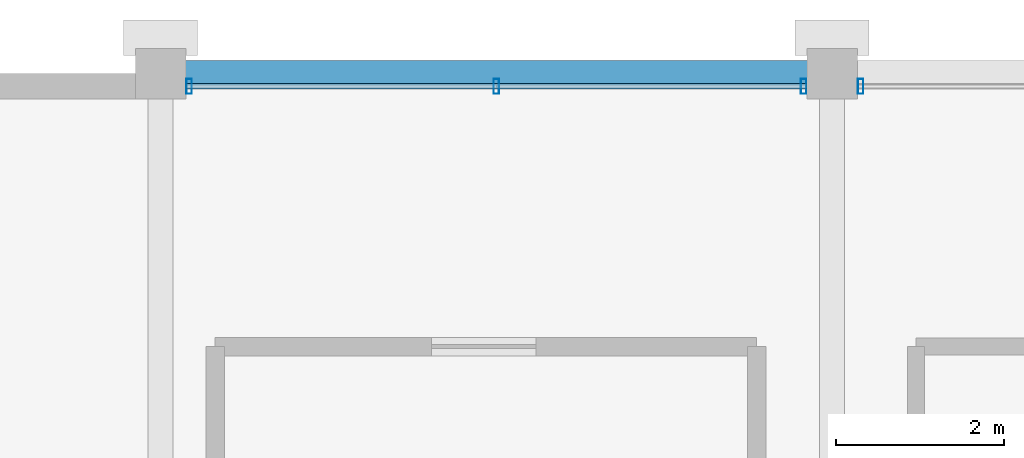
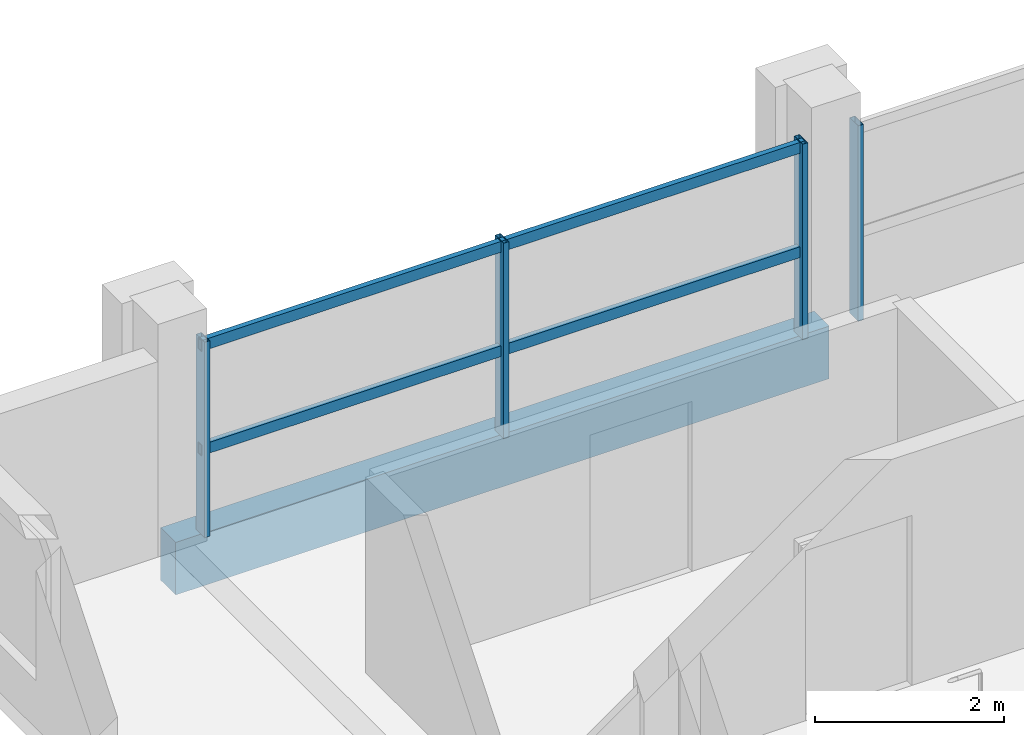
# One storey, part 15 of 24: 6 members, 1 beam, 2 elements without a shape of their own.
"""IFC4 building model written with IfcOpenShell, lengths in metres."""

from ifc_helpers import new_model, si_unit, direction, frame, origin, origin_2d, place, context, subcontext, project, spatial, rectangle, hollow_rectangle, extrude, material, material_profile, profile_set, type_object, element, aggregate, save


model = new_model("IFC4")

# Units and contexts
model_context = context("Model", 3, precision=1e-05, world=origin(), true_north=direction((0.0, 1.0)))
body_context = subcontext(model_context, "Body", "Model", "MODEL_VIEW")
ifc_project = project(units=[si_unit("LENGTHUNIT", "METRE"), si_unit("AREAUNIT", "SQUARE_METRE"), si_unit("VOLUMEUNIT", "CUBIC_METRE"), si_unit("PLANEANGLEUNIT", "RADIAN"), si_unit("MASSUNIT", "GRAM", prefix="KILO")], contexts=[model_context])

# Site, building, storey
site_placement = place(None, origin())
site = spatial("IfcSite", under=ifc_project, at=site_placement, CompositionType="ELEMENT")
building_placement = place(site_placement, origin())
building = spatial("IfcBuilding", under=site, at=building_placement, Name="Akrevak Sports Hall", CompositionType="ELEMENT")
storey_placement = place(building_placement, frame((0.0, 0.0, 63.300048828125)))
storey = spatial("IfcBuildingStorey", under=building, at=storey_placement, Name="L16", CompositionType="ELEMENT", Elevation=63.300048828125)

# Curtain wall, member
ifc_material_1 = material(Name="Anodized Bronze Aluminium & Low-E Glass", Category="aluminium")
curtain_wall_type = type_object("IfcCurtainWallType", Name="ARC-CW-TWR-72x30", PredefinedType="NOTDEFINED", material=ifc_material_1)
curtain_wall_1_placement = place(storey_placement, origin())
curtain_wall_1 = element("IfcCurtainWall", 1, at=curtain_wall_1_placement, inside=storey, type_object=curtain_wall_type, Name="Curtain Wall CW-L16-N21", PredefinedType="NOTDEFINED")
ifc_material_2 = material(Name="Anodized Bronze Aluminium", Category="aluminium")
ifc_material_profile_1 = material_profile(ifc_material_2, hollow_rectangle(XDim=0.06494140625, YDim=0.179931640625, WallThickness=0.00390625, at=origin_2d()), Name="CWM 65x180", Category="aluminium")
ifc_profile_set_1 = profile_set([ifc_material_profile_1], Name="Anodized Bronze Aluminium")
member_type_1 = type_object("IfcMemberType", Name="ARC-CWM-65x140", PredefinedType="MULLION", material=ifc_profile_set_1)
member_1_placement = place(storey_placement, frame((68.340087890625, 69.449951171875, 0.0), z_axis=(0.0, 0.0, 1.0), x_axis=(-1.0, 0.0, 0.0)))
member_1 = element("IfcMember", 2, at=member_1_placement, type_object=member_type_1, Name="Curtain Wall Mullion CW-L16-N21-M3", PredefinedType="MULLION", context=body_context, shape_type="SweptSolid", body=[
    extrude(hollow_rectangle(XDim=0.06494140625, YDim=0.179931640625, WallThickness=0.00390625, at=origin_2d()), origin(), (0.0, 0.0, 1.0), 2.530029296875),
])
aggregate(curtain_wall_1, [member_1])

# Curtain wall, members
curtain_wall_2_placement = place(storey_placement, origin())
curtain_wall_2 = element("IfcCurtainWall", 3, at=curtain_wall_2_placement, inside=storey, type_object=curtain_wall_type, Name="Curtain Wall CW-L16-N22", PredefinedType="NOTDEFINED")
member_2_placement = place(storey_placement, frame((67.659912109375, 69.449951171875, 0.0), z_axis=(0.0, 0.0, 1.0), x_axis=(-1.0, 0.0, 0.0)))
member_2 = element("IfcMember", 4, at=member_2_placement, type_object=member_type_1, Name="Curtain Wall Mullion CW-L16-N22-M1", PredefinedType="MULLION", context=body_context, shape_type="SweptSolid", body=[
    extrude(hollow_rectangle(XDim=0.06494140625, YDim=0.179931640625, WallThickness=0.00390625, at=origin_2d()), origin(), (0.0, 0.0, 1.0), 2.530029296875),
])
member_3_placement = place(storey_placement, frame((64.0, 69.449951171875, 0.0), z_axis=(0.0, 0.0, 1.0), x_axis=(-1.0, 0.0, 0.0)))
member_3 = element("IfcMember", 5, at=member_3_placement, type_object=member_type_1, Name="Curtain Wall Mullion CW-L16-N22-M2", PredefinedType="MULLION", context=body_context, shape_type="SweptSolid", body=[
    extrude(hollow_rectangle(XDim=0.06494140625, YDim=0.179931640625, WallThickness=0.00390625, at=origin_2d()), origin(), (0.0, 0.0, 1.0), 2.530029296875),
])
member_4_placement = place(storey_placement, frame((60.340087890625, 69.449951171875, 0.0), z_axis=(0.0, 0.0, 1.0), x_axis=(-1.0, 0.0, 0.0)))
member_4 = element("IfcMember", 6, at=member_4_placement, type_object=member_type_1, Name="Curtain Wall Mullion CW-L16-N22-M3", PredefinedType="MULLION", context=body_context, shape_type="SweptSolid", body=[
    extrude(hollow_rectangle(XDim=0.06494140625, YDim=0.179931640625, WallThickness=0.00390625, at=origin_2d()), origin(), (0.0, 0.0, 1.0), 2.530029296875),
])
ifc_material_profile_2 = material_profile(ifc_material_2, hollow_rectangle(XDim=0.06494140625, YDim=0.139892578125, WallThickness=0.00390625, at=origin_2d()), Name="CWT 65x140", Category="aluminium")
ifc_profile_set_2 = profile_set([ifc_material_profile_2], Name="Anodized Bronze Aluminium")
member_type_2 = type_object("IfcMemberType", Name="ARC-CWT-65x110", PredefinedType="USERDEFINED", material=ifc_profile_set_2)
member_5_placement = place(storey_placement, frame((67.699951171875, 69.449951171875, 1.099853515625), z_axis=(-1.0, 0.0, 0.0), x_axis=(0.0, -1.0, 0.0)))
member_5 = element("IfcMember", 7, at=member_5_placement, type_object=member_type_2, Name="Curtain Wall Transom CW-L16-N22-T1", ObjectType="TRANSOM", PredefinedType="USERDEFINED", context=body_context, shape_type="SweptSolid", body=[
    extrude(hollow_rectangle(XDim=0.06494140625, YDim=0.139892578125, WallThickness=0.00390625, at=origin_2d()), origin(), (0.0, 0.0, 1.0), 7.39990234375),
])
member_6_placement = place(storey_placement, frame((67.699951171875, 69.449951171875, 2.449951171875), z_axis=(-1.0, 0.0, 0.0), x_axis=(0.0, -1.0, 0.0)))
member_6 = element("IfcMember", 8, at=member_6_placement, type_object=member_type_2, Name="Curtain Wall Transom CW-L16-N22-T2", ObjectType="TRANSOM", PredefinedType="USERDEFINED", context=body_context, shape_type="SweptSolid", body=[
    extrude(hollow_rectangle(XDim=0.06494140625, YDim=0.139892578125, WallThickness=0.00390625, at=origin_2d()), origin(), (0.0, 0.0, 1.0), 7.39990234375),
])
aggregate(curtain_wall_2, [member_2, member_3, member_4, member_5, member_6])

# Beam
ifc_material_3 = material(Name="Concrete C40/50", Category="concrete")
ifc_material_profile_3 = material_profile(ifc_material_3, rectangle(XDim=0.320068359375, YDim=0.679931640625, at=origin_2d()), Name="SPD 320x680", Category="concrete")
ifc_profile_set_3 = profile_set([ifc_material_profile_3], Name="Concrete C40/50")
beam_type = type_object("IfcBeamType", Name="STR-SPD-RC320x680", PredefinedType="SPANDREL", material=ifc_profile_set_3)
beam_placement = place(storey_placement, frame((60.0, 69.60009765625, -0.340087890625), z_axis=(1.0, 0.0, 0.0), x_axis=(0.0, 1.0, 0.0)))
element("IfcBeam", 9, at=beam_placement, inside=storey, type_object=beam_type, Name="Girder K/9-10 (L16)", PredefinedType="SPANDREL", context=body_context, shape_type="SweptSolid", body=[
    extrude(rectangle(XDim=0.320068359375, YDim=0.679931640625, at=origin_2d()), origin(), (0.0, 0.0, 1.0), 8.0),
])

save(model, "model.ifc")
